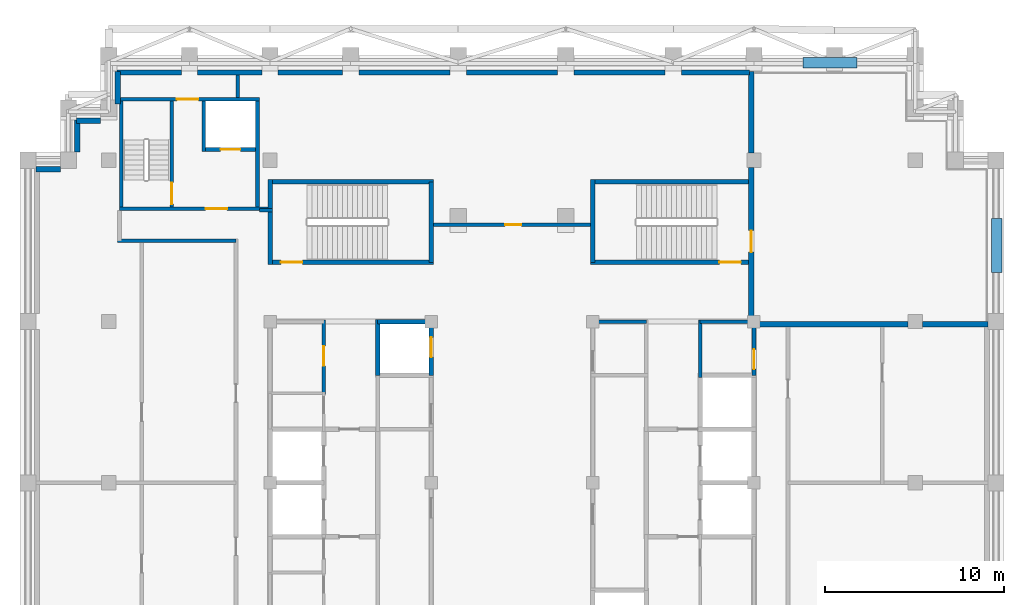
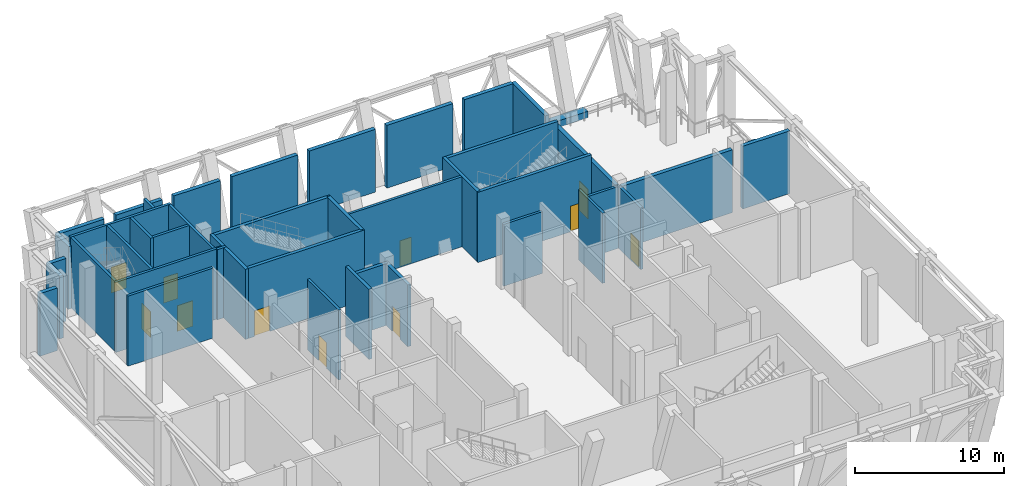
# One storey, part 6 of 9: 43 walls, 11 doors, 11 openings.
"""IFC4 building model written with IfcOpenShell, lengths in metres."""

from ifc_helpers import new_model, si_unit, direction, frame, frame_2d, origin, place, context, subcontext, project, spatial, rectangle, extrude, material, layer, layer_set, type_object, element, fill, save


model = new_model("IFC4")

# Units and contexts
model_context = context("Model", 3, precision=1e-05, world=origin(), true_north=direction((0.0, 1.0)))
body_context = subcontext(model_context, "Body", "Model", "MODEL_VIEW")
ifc_project = project(units=[si_unit("LENGTHUNIT", "METRE"), si_unit("AREAUNIT", "SQUARE_METRE"), si_unit("VOLUMEUNIT", "CUBIC_METRE"), si_unit("PLANEANGLEUNIT", "RADIAN"), si_unit("MASSUNIT", "GRAM", prefix="KILO")], contexts=[model_context])

# Site, building, storey
site_placement = place(None, origin())
site = spatial("IfcSite", under=ifc_project, at=site_placement, CompositionType="ELEMENT")
building_placement = place(site_placement, origin())
building = spatial("IfcBuilding", under=site, at=building_placement, Name="Corbelhall Arena Tower", CompositionType="ELEMENT")
storey_placement = place(building_placement, frame((0.0, 0.0, 320.0)))
storey = spatial("IfcBuildingStorey", under=building, at=storey_placement, Name="L70", CompositionType="ELEMENT", Elevation=320.0)

# Walls
ifc_material_1 = material(Name="Precast concrete C40/50 with granite facing", Category="masonry")
ifc_layer_1 = layer(ifc_material_1, 0.300048828125)
ifc_layer_set_1 = layer_set([ifc_layer_1], Name="EV-IW1 Infill panel 300")
wall_type_1 = type_object("IfcWallType", Name="EV-IW1 Infill panel 300", PredefinedType="SOLIDWALL", material=ifc_layer_set_1)
wall_1_placement = place(storey_placement, frame((-25.199951171875, 17.5, 0.0), z_axis=(0.0, 0.0, 1.0), x_axis=(-1.0, 0.0, 0.0)))
element("IfcWall", 1, at=wall_1_placement, inside=storey, type_object=wall_type_1, Name="Infill panel IW1", PredefinedType="SOLIDWALL", context=body_context, shape_type="SweptSolid", body=[
    extrude(rectangle(XDim=1.35009765625, YDim=0.300048828125, at=frame_2d((0.675048828125, 0.0))), origin(), (0.0, 0.0, 1.0), 5.139892578125),
])
wall_2_placement = place(storey_placement, frame((13.25, 22.89990234375, 0.0), z_axis=(0.0, 0.0, 1.0), x_axis=(-1.0, 0.0, 0.0)))
element("IfcWall", 2, at=wall_2_placement, inside=storey, type_object=wall_type_1, Name="Infill panel IW1", PredefinedType="SOLIDWALL", context=body_context, shape_type="SweptSolid", body=[
    extrude(rectangle(XDim=3.800048828125, YDim=0.300048828125, at=frame_2d((1.89990234375, 0.0))), origin(), (0.0, 0.0, 1.0), 5.139892578125),
])
for number, where, z_axis, x_axis, name in (
    (3, (8.550048828125, 22.89990234375, 0.0), (0.0, 0.0, 1.0), (-1.0, 0.0, 0.0), "Infill panel IW1"),
    (4, (2.550048828125, 22.89990234375, 0.0), (0.0, 0.0, 1.0), (-1.0, 0.0, 0.0), "Infill panel IW1"),
    (5, (-3.449951171875, 22.89990234375, 0.0), (0.0, 0.0, 1.0), (-1.0, 0.0, 0.0), "Infill panel IW1"),
):
    element("IfcWall", number, at=place(storey_placement, frame(where, z_axis=z_axis, x_axis=x_axis)), inside=storey, type_object=wall_type_1, Name=name, PredefinedType="SOLIDWALL", context=body_context, shape_type="SweptSolid", body=[
        extrude(rectangle(XDim=5.10009765625, YDim=0.300048828125, at=frame_2d((2.550048828125, 0.0))), origin(), (0.0, 0.0, 1.0), 5.139892578125),
    ])
for number, where, z_axis, x_axis, name in (
    (6, (-9.449951171875, 22.89990234375, 0.0), (0.0, 0.0, 1.0), (-1.0, 0.0, 0.0), "Infill panel IW1"),
    (7, (-13.949951171875, 22.89990234375, 0.0), (0.0, 0.0, 1.0), (-1.0, 0.0, 0.0), "Infill panel IW1"),
    (8, (-18.449951171875, 22.89990234375, 0.0), (0.0, 0.0, 1.0), (-1.0, 0.0, 0.0), "Infill panel IW1"),
):
    element("IfcWall", number, at=place(storey_placement, frame(where, z_axis=z_axis, x_axis=x_axis)), inside=storey, type_object=wall_type_1, Name=name, PredefinedType="SOLIDWALL", context=body_context, shape_type="SweptSolid", body=[
        extrude(rectangle(XDim=3.60009765625, YDim=0.300048828125, at=frame_2d((1.800048828125, 0.0))), origin(), (0.0, 0.0, 1.0), 5.139892578125),
    ])
wall_3_placement = place(storey_placement, frame((-22.0, 22.949951171875, 0.0), z_axis=(0.0, 0.0, 1.0), x_axis=(0.0, -1.0, 0.0)))
element("IfcWall", 9, at=wall_3_placement, inside=storey, type_object=wall_type_1, Name="Infill panel IW1", PredefinedType="SOLIDWALL", context=body_context, shape_type="SweptSolid", body=[
    extrude(rectangle(XDim=1.800048828125, YDim=0.300048828125, at=frame_2d((0.89990234375, 0.0))), origin(), (0.0, 0.0, 1.0), 5.139892578125),
])
wall_4_placement = place(storey_placement, frame((-22.949951171875, 20.199951171875, 0.0), z_axis=(0.0, 0.0, 1.0), x_axis=(-1.0, 0.0, 0.0)))
element("IfcWall", 10, at=wall_4_placement, inside=storey, type_object=wall_type_1, Name="Infill panel IW1", PredefinedType="SOLIDWALL", context=body_context, shape_type="SweptSolid", body=[
    extrude(rectangle(XDim=1.35009765625, YDim=0.300048828125, at=frame_2d((0.675048828125, 0.0))), origin(), (0.0, 0.0, 1.0), 5.139892578125),
])
wall_5_placement = place(storey_placement, frame((-24.25, 20.25, 0.0), z_axis=(0.0, 0.0, 1.0), x_axis=(0.0, -1.0, 0.0)))
element("IfcWall", 11, at=wall_5_placement, inside=storey, type_object=wall_type_1, Name="Infill panel IW1", PredefinedType="SOLIDWALL", context=body_context, shape_type="SweptSolid", body=[
    extrude(rectangle(XDim=1.800048828125, YDim=0.300048828125, at=frame_2d((0.89990234375, 0.0))), origin(), (0.0, 0.0, 1.0), 5.139892578125),
])

# Wall, opening, door
wall_6_placement = place(storey_placement, frame((13.35009765625, 17.60009765625, 0.0), z_axis=(0.0, 0.0, 1.0), x_axis=(0.0, -1.0, 0.0)))
wall_6 = element("IfcWall", 12, at=wall_6_placement, inside=storey, type_object=wall_type_1, Name="Infill panel IW1", PredefinedType="SOLIDWALL", context=body_context, shape_type="SweptSolid", body=[
    extrude(rectangle(XDim=8.550048828125, YDim=0.300048828125, at=frame_2d((4.27490234375, 0.0))), origin(), (0.0, 0.0, 1.0), 5.139892578125),
])
opening_1_placement = place(wall_6_placement, frame((3.52490234375, 0.0, 0.0)))
opening_1 = element("IfcOpeningElement", 13, at=opening_1_placement, cuts=wall_6, Name="Opening ED1", PredefinedType="OPENING", context=body_context, shape_type="SweptSolid", body=[
    extrude(rectangle(XDim=1.199951171875, YDim=2.39990234375, at=frame_2d((0.60009765625, 1.199951171875))), frame((0.0, 0.14990234375, 0.0), z_axis=(0.0, -1.0, 0.0), x_axis=(1.0, 0.0, 0.0)), (0.0, 0.0, 1.0), 0.300048828125),
])
ifc_material_2 = material(Name="Aluminium black anodised", Category="aluminium")
door_type_1 = type_object("IfcDoorType", Name="EV-ED1 Terrace door", OperationType="SINGLE_SWING_LEFT", PredefinedType="DOOR", material=ifc_material_2)
door_1_placement = place(opening_1_placement, origin())
door_1 = element("IfcDoor", 14, at=door_1_placement, inside=storey, type_object=door_type_1, Name="Terrace door", OperationType="SINGLE_SWING_LEFT", OverallHeight=2.39990234375, OverallWidth=1.199951171875, PredefinedType="DOOR", context=body_context, shape_type="SweptSolid", body=[
    extrude(rectangle(XDim=1.199951171875, YDim=2.39990234375, at=frame_2d((0.60009765625, 1.199951171875))), frame((0.0, 0.02490234375, 0.0), z_axis=(0.0, -1.0, 0.0), x_axis=(1.0, 0.0, 0.0)), (0.0, 0.0, 1.0), 0.050048828125),
])
fill(opening_1, door_1)

# Walls
wall_7_placement = place(storey_placement, frame((13.35009765625, 18.39990234375, 0.0), z_axis=(0.0, 0.0, 1.0), x_axis=(0.0, 1.0, 0.0)))
element("IfcWall", 15, at=wall_7_placement, inside=storey, type_object=wall_type_1, Name="Infill panel IW1", PredefinedType="SOLIDWALL", context=body_context, shape_type="SweptSolid", body=[
    extrude(rectangle(XDim=4.550048828125, YDim=0.300048828125, at=frame_2d((2.27490234375, 0.0))), origin(), (0.0, 0.0, 1.0), 5.139892578125),
])
wall_8_placement = place(storey_placement, frame((22.10009765625, 8.85009765625, 0.0), z_axis=(0.0, 0.0, 1.0), x_axis=(-1.0, 0.0, 0.0)))
element("IfcWall", 16, at=wall_8_placement, inside=storey, type_object=wall_type_1, Name="Infill panel IW1", PredefinedType="SOLIDWALL", context=body_context, shape_type="SweptSolid", body=[
    extrude(rectangle(XDim=8.550048828125, YDim=0.300048828125, at=frame_2d((4.27490234375, 0.0))), origin(), (0.0, 0.0, 1.0), 5.139892578125),
])
wall_9_placement = place(storey_placement, frame((26.550048828125, 8.85009765625, 0.0), z_axis=(0.0, 0.0, 1.0), x_axis=(-1.0, 0.0, 0.0)))
element("IfcWall", 17, at=wall_9_placement, inside=storey, type_object=wall_type_1, Name="Infill panel IW1", PredefinedType="SOLIDWALL", context=body_context, shape_type="SweptSolid", body=[
    extrude(rectangle(XDim=3.650146484375, YDim=0.300048828125, at=frame_2d((1.8251953125, 0.0))), origin(), (0.0, 0.0, 1.0), 5.139892578125),
])
ifc_layer_2 = layer(ifc_material_1, 0.60009765625)
ifc_layer_set_2 = layer_set([ifc_layer_2], Name="EV-PL1 Planter box")
wall_type_2 = type_object("IfcWallType", Name="EV-PL1 Planter box", PredefinedType="SOLIDWALL", material=ifc_layer_set_2)
for number, where, z_axis, x_axis, name in (
    (18, (16.2451171875, 23.43994140625, 0.0), (0.0, 0.0, 1.0), (1.0, 0.0, 0.0), "PLANTER"),
    (19, (27.0400390625, 14.7451171875, 0.0), (0.0, 0.0, 1.0), (0.0, -1.0, 0.0), "PLANTER"),
):
    element("IfcWall", number, at=place(storey_placement, frame(where, z_axis=z_axis, x_axis=x_axis)), inside=storey, type_object=wall_type_2, Name=name, PredefinedType="SOLIDWALL", context=body_context, shape_type="SweptSolid", body=[
        extrude(rectangle(XDim=3.0, YDim=0.60009765625, at=frame_2d((1.5, 0.0))), origin(), (0.0, 0.0, 1.0), 0.5400390625),
    ])
ifc_material_3 = material(Name="Gypsum board on steel stud, acoustic", Category="steel")
ifc_layer_3 = layer(ifc_material_3, 0.199951171875)
ifc_layer_set_3 = layer_set([ifc_layer_3], Name="IN-W-DM200")
wall_type_3 = type_object("IfcWallType", Name="IN-W-DM200", PredefinedType="PARTITIONING", material=ifc_layer_set_3)
wall_10_placement = place(storey_placement, frame((-15.39990234375, 13.5, 0.0), z_axis=(0.0, 0.0, 1.0), x_axis=(-1.0, 0.0, 0.0)))
element("IfcWall", 20, at=wall_10_placement, inside=storey, type_object=wall_type_3, Name="Partition 006", PredefinedType="PARTITIONING", context=body_context, shape_type="SweptSolid", body=[
    extrude(rectangle(XDim=6.60009765625, YDim=0.199951171875, at=frame_2d((3.300048828125, 0.0))), origin(), (0.0, 0.0, 1.0), 5.739990234375),
])
wall_11_placement = place(storey_placement, frame((-15.300048828125, 22.75, 0.0), z_axis=(0.0, 0.0, 1.0), x_axis=(0.0, -1.0, 0.0)))
element("IfcWall", 21, at=wall_11_placement, inside=storey, type_object=wall_type_3, Name="Partition 008", PredefinedType="PARTITIONING", context=body_context, shape_type="SweptSolid", body=[
    extrude(rectangle(XDim=1.25, YDim=0.199951171875, at=frame_2d((0.625, 0.0))), origin(), (0.0, 0.0, 1.0), 5.739990234375),
])
wall_12_placement = place(storey_placement, frame((-14.10009765625, 15.199951171875, 0.0), z_axis=(0.0, 0.0, 1.0), x_axis=(1.0, 0.0, 0.0)))
element("IfcWall", 22, at=wall_12_placement, inside=storey, type_object=wall_type_3, Name="Partition 009", PredefinedType="PARTITIONING", context=body_context, shape_type="SweptSolid", body=[
    extrude(rectangle(XDim=0.72509765625, YDim=0.199951171875, at=frame_2d((0.362548828125, 0.0))), origin(), (0.0, 0.0, 1.0), 5.739990234375),
])

# Wall, opening, door
wall_13_placement = place(storey_placement, frame((-4.5, 14.39990234375, 0.0), z_axis=(0.0, 0.0, 1.0), x_axis=(1.0, 0.0, 0.0)))
wall_13 = element("IfcWall", 23, at=wall_13_placement, inside=storey, type_object=wall_type_3, Name="Partition 011", PredefinedType="PARTITIONING", context=body_context, shape_type="SweptSolid", body=[
    extrude(rectangle(XDim=9.0, YDim=0.199951171875, at=frame_2d((4.5, 0.0))), origin(), (0.0, 0.0, 1.0), 5.739990234375),
])
opening_2_placement = place(wall_13_placement, frame((4.1201171875, 0.0, 0.0)))
opening_2 = element("IfcOpeningElement", 24, at=opening_2_placement, cuts=wall_13, Name="Opening 30031", PredefinedType="OPENING", context=body_context, shape_type="SweptSolid", body=[
    extrude(rectangle(XDim=0.89990234375, YDim=2.10009765625, at=frame_2d((0.449951171875, 1.050048828125))), frame((0.0, 0.10009765625, 0.0), z_axis=(0.0, -1.0, 0.0), x_axis=(1.0, 0.0, 0.0)), (0.0, 0.0, 1.0), 0.199951171875),
])
ifc_material_4 = material(Name="Timber door set", Category="wood")
door_type_2 = type_object("IfcDoorType", Name="IN-D-SW90", OperationType="NOTDEFINED", PredefinedType="DOOR", material=ifc_material_4)
door_2_placement = place(opening_2_placement, origin())
door_2 = element("IfcDoor", 25, at=door_2_placement, inside=storey, type_object=door_type_2, Name="Door 031", OperationType="SINGLE_SWING_LEFT", OverallHeight=2.10009765625, OverallWidth=0.89990234375, PredefinedType="DOOR", context=body_context, shape_type="SweptSolid", body=[
    extrude(rectangle(XDim=0.89990234375, YDim=2.10009765625, at=frame_2d((0.449951171875, 1.050048828125))), frame((0.0, 0.02490234375, 0.0), z_axis=(0.0, -1.0, 0.0), x_axis=(1.0, 0.0, 0.0)), (0.0, 0.0, 1.0), 0.050048828125),
])
fill(opening_2, door_2)

ifc_material_5 = material(Name="Concrete C40/50", Category="concrete")
ifc_layer_4 = layer(ifc_material_5, 0.199951171875)
ifc_layer_set_4 = layer_set([ifc_layer_4], Name="IN-W-EAR200")
wall_type_4 = type_object("IfcWallType", Name="IN-W-EAR200", PredefinedType="SOLIDWALL", material=ifc_layer_set_4)
wall_14_placement = place(storey_placement, frame((-21.89990234375, 15.300048828125, 0.0), z_axis=(0.0, 0.0, 1.0), x_axis=(1.0, 0.0, 0.0)))
wall_14 = element("IfcWall", 26, at=wall_14_placement, inside=storey, type_object=wall_type_4, Name="Fire service turret wall south", PredefinedType="SOLIDWALL", context=body_context, shape_type="SweptSolid", body=[
    extrude(rectangle(XDim=8.27490234375, YDim=0.199951171875, at=frame_2d((4.137451171875, 0.0))), origin(), (0.0, 0.0, 1.0), 5.739990234375),
])
opening_3_placement = place(wall_14_placement, frame((4.800048828125, 0.0, 0.0)))
opening_3 = element("IfcOpeningElement", 27, at=opening_3_placement, cuts=wall_14, Name="Opening E302", PredefinedType="OPENING", context=body_context, shape_type="SweptSolid", body=[
    extrude(rectangle(XDim=1.199951171875, YDim=2.10009765625, at=frame_2d((0.60009765625, 1.050048828125))), frame((0.0, 0.10009765625, 0.0), z_axis=(0.0, -1.0, 0.0), x_axis=(1.0, 0.0, 0.0)), (0.0, 0.0, 1.0), 0.199951171875),
])
ifc_material_6 = material(Name="Steel door set", Category="steel")
door_type_3 = type_object("IfcDoorType", Name="IN-D-ST120", OperationType="NOTDEFINED", PredefinedType="DOOR", material=ifc_material_6)
door_3_placement = place(opening_3_placement, origin())
door_3 = element("IfcDoor", 28, at=door_3_placement, inside=storey, type_object=door_type_3, Name="Door from fire service lift lobby to circulation", OperationType="SINGLE_SWING_RIGHT", OverallHeight=2.10009765625, OverallWidth=1.199951171875, PredefinedType="DOOR", context=body_context, shape_type="SweptSolid", body=[
    extrude(rectangle(XDim=1.199951171875, YDim=2.10009765625, at=frame_2d((0.60009765625, 1.050048828125))), frame((0.0, 0.02490234375, 0.0), z_axis=(0.0, -1.0, 0.0), x_axis=(1.0, 0.0, 0.0)), (0.0, 0.0, 1.0), 0.050048828125),
])
fill(opening_3, door_3)

wall_15_placement = place(storey_placement, frame((-21.89990234375, 21.39990234375, 0.0), z_axis=(0.0, 0.0, 1.0), x_axis=(1.0, 0.0, 0.0)))
wall_15 = element("IfcWall", 29, at=wall_15_placement, inside=storey, type_object=wall_type_4, Name="Fire service turret wall north", PredefinedType="SOLIDWALL", context=body_context, shape_type="SweptSolid", body=[
    extrude(rectangle(XDim=7.7998046875, YDim=0.199951171875, at=frame_2d((3.89990234375, 0.0))), origin(), (0.0, 0.0, 1.0), 5.739990234375),
])
opening_4_placement = place(wall_15_placement, frame((3.199951171875, 0.0, 0.0)))
opening_4 = element("IfcOpeningElement", 30, at=opening_4_placement, cuts=wall_15, Name="Opening E303", PredefinedType="OPENING", context=body_context, shape_type="SweptSolid", body=[
    extrude(rectangle(XDim=1.199951171875, YDim=2.10009765625, at=frame_2d((0.60009765625, 1.050048828125))), frame((0.0, 0.10009765625, 0.0), z_axis=(0.0, -1.0, 0.0), x_axis=(1.0, 0.0, 0.0)), (0.0, 0.0, 1.0), 0.199951171875),
])
door_4_placement = place(opening_4_placement, origin())
door_4 = element("IfcDoor", 31, at=door_4_placement, inside=storey, type_object=door_type_3, Name="Door from fire service lift lobby to the north gallery", OperationType="SINGLE_SWING_LEFT", OverallHeight=2.10009765625, OverallWidth=1.199951171875, PredefinedType="DOOR", context=body_context, shape_type="SweptSolid", body=[
    extrude(rectangle(XDim=1.199951171875, YDim=2.10009765625, at=frame_2d((0.60009765625, 1.050048828125))), frame((0.0, 0.02490234375, 0.0), z_axis=(0.0, -1.0, 0.0), x_axis=(1.0, 0.0, 0.0)), (0.0, 0.0, 1.0), 0.050048828125),
])
fill(opening_4, door_4)

# Walls
for number, where, z_axis, x_axis, name in (
    (32, (-21.800048828125, 15.39990234375, 0.0), (0.0, 0.0, 1.0), (0.0, 1.0, 0.0), "Fire service turret wall west"),
    (33, (-14.199951171875, 15.39990234375, 0.0), (0.0, 0.0, 1.0), (0.0, 1.0, 0.0), "Fire service turret wall east"),
):
    element("IfcWall", number, at=place(storey_placement, frame(where, z_axis=z_axis, x_axis=x_axis)), inside=storey, type_object=wall_type_4, Name=name, PredefinedType="SOLIDWALL", context=body_context, shape_type="SweptSolid", body=[
        extrude(rectangle(XDim=5.900146484375, YDim=0.199951171875, at=frame_2d((2.9501953125, 0.0))), origin(), (0.0, 0.0, 1.0), 5.739990234375),
    ])

# Wall, opening, door
wall_16_placement = place(storey_placement, frame((-18.989990234375, 15.39990234375, 0.0), z_axis=(0.0, 0.0, 1.0), x_axis=(0.0, 1.0, 0.0)))
wall_16 = element("IfcWall", 34, at=wall_16_placement, inside=storey, type_object=wall_type_4, Name="Fire service turret wall stair", PredefinedType="SOLIDWALL", context=body_context, shape_type="SweptSolid", body=[
    extrude(rectangle(XDim=5.900146484375, YDim=0.199951171875, at=frame_2d((2.9501953125, 0.0))), origin(), (0.0, 0.0, 1.0), 5.739990234375),
])
opening_5_placement = place(wall_16_placement, frame((0.14990234375, 0.0, 0.0)))
opening_5 = element("IfcOpeningElement", 35, at=opening_5_placement, cuts=wall_16, Name="Opening E301", PredefinedType="OPENING", context=body_context, shape_type="SweptSolid", body=[
    extrude(rectangle(XDim=1.199951171875, YDim=2.10009765625, at=frame_2d((0.60009765625, 1.050048828125))), frame((0.0, 0.10009765625, 0.0), z_axis=(0.0, -1.0, 0.0), x_axis=(1.0, 0.0, 0.0)), (0.0, 0.0, 1.0), 0.199951171875),
])
door_5_placement = place(opening_5_placement, origin())
door_5 = element("IfcDoor", 36, at=door_5_placement, inside=storey, type_object=door_type_3, Name="Stair door to fire service lobby", OperationType="SINGLE_SWING_LEFT", OverallHeight=2.10009765625, OverallWidth=1.199951171875, PredefinedType="DOOR", context=body_context, shape_type="SweptSolid", body=[
    extrude(rectangle(XDim=1.199951171875, YDim=2.10009765625, at=frame_2d((0.60009765625, 1.050048828125))), frame((0.0, 0.02490234375, 0.0), z_axis=(0.0, -1.0, 0.0), x_axis=(1.0, 0.0, 0.0)), (0.0, 0.0, 1.0), 0.050048828125),
])
fill(opening_5, door_5)

# Wall
wall_17_placement = place(storey_placement, frame((-17.199951171875, 18.5, 0.0), z_axis=(0.0, 0.0, 1.0), x_axis=(0.0, 1.0, 0.0)))
element("IfcWall", 37, at=wall_17_placement, inside=storey, type_object=wall_type_4, Name="Fire service turret wall hoistway west", PredefinedType="SOLIDWALL", context=body_context, shape_type="SweptSolid", body=[
    extrude(rectangle(XDim=2.800048828125, YDim=0.199951171875, at=frame_2d((1.39990234375, 0.0))), origin(), (0.0, 0.0, 1.0), 5.739990234375),
])

# Wall, opening, door
wall_18_placement = place(storey_placement, frame((-17.10009765625, 18.60009765625, 0.0), z_axis=(0.0, 0.0, 1.0), x_axis=(1.0, 0.0, 0.0)))
wall_18 = element("IfcWall", 38, at=wall_18_placement, inside=storey, type_object=wall_type_4, Name="Fire service turret wall hoistway south", PredefinedType="SOLIDWALL", context=body_context, shape_type="SweptSolid", body=[
    extrude(rectangle(XDim=2.800048828125, YDim=0.199951171875, at=frame_2d((1.39990234375, 0.0))), origin(), (0.0, 0.0, 1.0), 5.739990234375),
])
opening_6_placement = place(wall_18_placement, frame((0.85009765625, 0.0, 0.0)))
opening_6 = element("IfcOpeningElement", 39, at=opening_6_placement, cuts=wall_18, Name="Opening LD", PredefinedType="OPENING", context=body_context, shape_type="SweptSolid", body=[
    extrude(rectangle(XDim=1.10009765625, YDim=2.10009765625, at=frame_2d((0.550048828125, 1.050048828125))), frame((0.0, 0.10009765625, 0.0), z_axis=(0.0, -1.0, 0.0), x_axis=(1.0, 0.0, 0.0)), (0.0, 0.0, 1.0), 0.199951171875),
])
door_type_4 = type_object("IfcDoorType", Name="IN-D-LD110", OperationType="NOTDEFINED", PredefinedType="DOOR", material=ifc_material_6)
door_6_placement = place(opening_6_placement, origin())
door_6 = element("IfcDoor", 40, at=door_6_placement, inside=storey, type_object=door_type_4, Name="Landing door FS1", OperationType="SLIDING_TO_LEFT", OverallHeight=2.10009765625, OverallWidth=1.10009765625, PredefinedType="DOOR", context=body_context, shape_type="SweptSolid", body=[
    extrude(rectangle(XDim=1.10009765625, YDim=2.10009765625, at=frame_2d((0.550048828125, 1.050048828125))), frame((0.0, 0.02490234375, 0.0), z_axis=(0.0, -1.0, 0.0), x_axis=(1.0, 0.0, 0.0)), (0.0, 0.0, 1.0), 0.050048828125),
])
fill(opening_6, door_6)

ifc_material_7 = material(Name="Concrete block wall", Category="concrete")
ifc_layer_5 = layer(ifc_material_7, 0.199951171875)
ifc_layer_set_5 = layer_set([ifc_layer_5], Name="IN-W-RS200")
wall_type_5 = type_object("IfcWallType", Name="IN-W-RS200", PredefinedType="SOLIDWALL", material=ifc_layer_set_5)
wall_19_placement = place(storey_placement, frame((-10.5, 4.925048828125, 0.0), z_axis=(0.0, 0.0, 1.0), x_axis=(0.0, 1.0, 0.0)))
wall_19 = element("IfcWall", 41, at=wall_19_placement, inside=storey, type_object=wall_type_5, Name="Partition 023", PredefinedType="SOLIDWALL", context=body_context, shape_type="SweptSolid", body=[
    extrude(rectangle(XDim=4.175048828125, YDim=0.199951171875, at=frame_2d((2.08740234375, 0.0))), origin(), (0.0, 0.0, 1.0), 5.739990234375),
])
opening_7_placement = place(wall_19_placement, frame((1.60009765625, 0.0, 0.0)))
opening_7 = element("IfcOpeningElement", 42, at=opening_7_placement, cuts=wall_19, Name="Opening 30008", PredefinedType="OPENING", context=body_context, shape_type="SweptSolid", body=[
    extrude(rectangle(XDim=1.10009765625, YDim=2.10009765625, at=frame_2d((0.550048828125, 1.050048828125))), frame((0.0, 0.10009765625, 0.0), z_axis=(0.0, -1.0, 0.0), x_axis=(1.0, 0.0, 0.0)), (0.0, 0.0, 1.0), 0.199951171875),
])
door_type_5 = type_object("IfcDoorType", Name="IN-D-FD110", OperationType="NOTDEFINED", PredefinedType="DOOR", material=ifc_material_6)
door_7_placement = place(opening_7_placement, origin())
door_7 = element("IfcDoor", 43, at=door_7_placement, inside=storey, type_object=door_type_5, Name="Door 008", OperationType="SINGLE_SWING_LEFT", OverallHeight=2.10009765625, OverallWidth=1.10009765625, PredefinedType="DOOR", context=body_context, shape_type="SweptSolid", body=[
    extrude(rectangle(XDim=1.10009765625, YDim=2.10009765625, at=frame_2d((0.550048828125, 1.050048828125))), frame((0.0, 0.02490234375, 0.0), z_axis=(0.0, -1.0, 0.0), x_axis=(1.0, 0.0, 0.0)), (0.0, 0.0, 1.0), 0.050048828125),
])
fill(opening_7, door_7)

# Walls
wall_20_placement = place(storey_placement, frame((10.5, 9.10009765625, 0.0), z_axis=(0.0, 0.0, 1.0), x_axis=(0.0, -1.0, 0.0)))
element("IfcWall", 44, at=wall_20_placement, inside=storey, type_object=wall_type_5, Name="Partition 035", PredefinedType="SOLIDWALL", context=body_context, shape_type="SweptSolid", body=[
    extrude(rectangle(XDim=3.22509765625, YDim=0.199951171875, at=frame_2d((1.612548828125, 0.0))), origin(), (0.0, 0.0, 1.0), 5.739990234375),
])
ifc_layer_6 = layer(ifc_material_7, 0.199951171875)
ifc_layer_set_6 = layer_set([ifc_layer_6], Name="IN-W-RS200 under beam 678 mm")
wall_type_6 = type_object("IfcWallType", Name="IN-W-RS200 under beam 678 mm", PredefinedType="SOLIDWALL", material=ifc_layer_set_6)
for number, where, z_axis, x_axis, name in (
    (45, (4.5, 9.0, 0.0), (0.0, 0.0, 1.0), (1.0, 0.0, 0.0), "Partition 031"),
    (46, (10.5, 9.0, 0.0), (0.0, 0.0, 1.0), (1.0, 0.0, 0.0), "Partition 034"),
):
    element("IfcWall", number, at=place(storey_placement, frame(where, z_axis=z_axis, x_axis=x_axis)), inside=storey, type_object=wall_type_6, Name=name, PredefinedType="SOLIDWALL", context=body_context, shape_type="SweptSolid", body=[
        extrude(rectangle(XDim=3.0, YDim=0.199951171875, at=frame_2d((1.5, 0.0))), origin(), (0.0, 0.0, 1.0), 5.061767578125),
    ])

# Wall, opening, door
wall_21_placement = place(storey_placement, frame((13.5, 9.050048828125, 0.0), z_axis=(0.0, 0.0, 1.0), x_axis=(0.0, -1.0, 0.0)))
wall_21 = element("IfcWall", 47, at=wall_21_placement, inside=storey, type_object=wall_type_6, Name="Partition 036", PredefinedType="SOLIDWALL", context=body_context, shape_type="SweptSolid", body=[
    extrude(rectangle(XDim=3.050048828125, YDim=0.199951171875, at=frame_2d((1.52490234375, 0.0))), origin(), (0.0, 0.0, 1.0), 5.061767578125),
])
opening_8_placement = place(wall_21_placement, frame((1.60009765625, 0.0, 0.0)))
opening_8 = element("IfcOpeningElement", 48, at=opening_8_placement, cuts=wall_21, Name="Opening 30014", PredefinedType="OPENING", context=body_context, shape_type="SweptSolid", body=[
    extrude(rectangle(XDim=1.10009765625, YDim=2.10009765625, at=frame_2d((0.550048828125, 1.050048828125))), frame((0.0, 0.10009765625, 0.0), z_axis=(0.0, -1.0, 0.0), x_axis=(1.0, 0.0, 0.0)), (0.0, 0.0, 1.0), 0.199951171875),
])
door_8_placement = place(opening_8_placement, origin())
door_8 = element("IfcDoor", 49, at=door_8_placement, inside=storey, type_object=door_type_5, Name="Door 014", OperationType="SINGLE_SWING_LEFT", OverallHeight=2.10009765625, OverallWidth=1.10009765625, PredefinedType="DOOR", context=body_context, shape_type="SweptSolid", body=[
    extrude(rectangle(XDim=1.10009765625, YDim=2.10009765625, at=frame_2d((0.550048828125, 1.050048828125))), frame((0.0, 0.02490234375, 0.0), z_axis=(0.0, -1.0, 0.0), x_axis=(1.0, 0.0, 0.0)), (0.0, 0.0, 1.0), 0.050048828125),
])
fill(opening_8, door_8)

# Walls
ifc_layer_7 = layer(ifc_material_5, 0.25)
ifc_layer_set_7 = layer_set([ifc_layer_7], Name="IN-W-SH250")
wall_type_7 = type_object("IfcWallType", Name="IN-W-SH250", PredefinedType="SOLIDWALL", material=ifc_layer_set_7)
wall_22_placement = place(storey_placement, frame((-7.5, 6.0, 0.0), z_axis=(0.0, 0.0, 1.0), x_axis=(0.0, 1.0, 0.0)))
element("IfcWall", 50, at=wall_22_placement, inside=storey, type_object=wall_type_7, Name="Shaft wall 044", PredefinedType="SOLIDWALL", context=body_context, shape_type="SweptSolid", body=[
    extrude(rectangle(XDim=3.125, YDim=0.25, at=frame_2d((1.5625, 0.0))), origin(), (0.0, 0.0, 1.0), 5.739990234375),
])
ifc_layer_8 = layer(ifc_material_5, 0.25)
ifc_layer_set_8 = layer_set([ifc_layer_8], Name="IN-W-SH250 under beam 678 mm")
wall_type_8 = type_object("IfcWallType", Name="IN-W-SH250 under beam 678 mm", PredefinedType="SOLIDWALL", material=ifc_layer_set_8)
wall_23_placement = place(storey_placement, frame((-7.5, 9.0, 0.0), z_axis=(0.0, 0.0, 1.0), x_axis=(1.0, 0.0, 0.0)))
element("IfcWall", 51, at=wall_23_placement, inside=storey, type_object=wall_type_8, Name="Shaft wall 045", PredefinedType="SOLIDWALL", context=body_context, shape_type="SweptSolid", body=[
    extrude(rectangle(XDim=3.0, YDim=0.25, at=frame_2d((1.5, 0.0))), origin(), (0.0, 0.0, 1.0), 5.061767578125),
])

# Wall, opening, door
wall_24_placement = place(storey_placement, frame((-4.5, 9.125, 0.0), z_axis=(0.0, 0.0, 1.0), x_axis=(0.0, -1.0, 0.0)))
wall_24 = element("IfcWall", 52, at=wall_24_placement, inside=storey, type_object=wall_type_8, Name="Shaft wall 046", PredefinedType="SOLIDWALL", context=body_context, shape_type="SweptSolid", body=[
    extrude(rectangle(XDim=3.125, YDim=0.25, at=frame_2d((1.5625, 0.0))), origin(), (0.0, 0.0, 1.0), 5.061767578125),
])
opening_9_placement = place(wall_24_placement, frame((1.012451171875, 0.0, 0.0)))
opening_9 = element("IfcOpeningElement", 53, at=opening_9_placement, cuts=wall_24, Name="Opening LD", PredefinedType="OPENING", context=body_context, shape_type="SweptSolid", body=[
    extrude(rectangle(XDim=1.10009765625, YDim=2.10009765625, at=frame_2d((0.550048828125, 1.050048828125))), frame((0.0, 0.125, 0.0), z_axis=(0.0, -1.0, 0.0), x_axis=(1.0, 0.0, 0.0)), (0.0, 0.0, 1.0), 0.25),
])
door_9_placement = place(opening_9_placement, origin())
door_9 = element("IfcDoor", 54, at=door_9_placement, inside=storey, type_object=door_type_4, Name="Landing door W6", OperationType="SLIDING_TO_LEFT", OverallHeight=2.10009765625, OverallWidth=1.10009765625, PredefinedType="DOOR", context=body_context, shape_type="SweptSolid", body=[
    extrude(rectangle(XDim=1.10009765625, YDim=2.10009765625, at=frame_2d((0.550048828125, 1.050048828125))), frame((0.0, 0.02490234375, 0.0), z_axis=(0.0, -1.0, 0.0), x_axis=(1.0, 0.0, 0.0)), (0.0, 0.0, 1.0), 0.050048828125),
])
fill(opening_9, door_9)

ifc_layer_9 = layer(ifc_material_5, 0.25)
ifc_layer_set_9 = layer_set([ifc_layer_9], Name="IN-W-ST250")
wall_type_9 = type_object("IfcWallType", Name="IN-W-ST250", PredefinedType="SOLIDWALL", material=ifc_layer_set_9)
wall_25_placement = place(storey_placement, frame((-13.5, 12.300048828125, 0.0), z_axis=(0.0, 0.0, 1.0), x_axis=(1.0, 0.0, 0.0)))
wall_25 = element("IfcWall", 55, at=wall_25_placement, inside=storey, type_object=wall_type_9, Name="Shaft wall 059", PredefinedType="SOLIDWALL", context=body_context, shape_type="SweptSolid", body=[
    extrude(rectangle(XDim=9.125, YDim=0.25, at=frame_2d((4.5625, 0.0))), origin(), (0.0, 0.0, 1.0), 5.739990234375),
])
opening_10_placement = place(wall_25_placement, frame((0.60009765625, 0.0, 0.0)))
opening_10 = element("IfcOpeningElement", 56, at=opening_10_placement, cuts=wall_25, Name="Opening 30015", PredefinedType="OPENING", context=body_context, shape_type="SweptSolid", body=[
    extrude(rectangle(XDim=1.199951171875, YDim=2.10009765625, at=frame_2d((0.60009765625, 1.050048828125))), frame((0.0, 0.125, 0.0), z_axis=(0.0, -1.0, 0.0), x_axis=(1.0, 0.0, 0.0)), (0.0, 0.0, 1.0), 0.25),
])
door_10_placement = place(opening_10_placement, origin())
door_10 = element("IfcDoor", 57, at=door_10_placement, inside=storey, type_object=door_type_3, Name="Door 015", OperationType="SINGLE_SWING_RIGHT", OverallHeight=2.10009765625, OverallWidth=1.199951171875, PredefinedType="DOOR", context=body_context, shape_type="SweptSolid", body=[
    extrude(rectangle(XDim=1.199951171875, YDim=2.10009765625, at=frame_2d((0.60009765625, 1.050048828125))), frame((0.0, 0.02490234375, 0.0), z_axis=(0.0, -1.0, 0.0), x_axis=(1.0, 0.0, 0.0)), (0.0, 0.0, 1.0), 0.050048828125),
])
fill(opening_10, door_10)

# Walls
wall_26_placement = place(storey_placement, frame((-13.5, 12.175048828125, 0.0), z_axis=(0.0, 0.0, 1.0), x_axis=(0.0, 1.0, 0.0)))
element("IfcWall", 58, at=wall_26_placement, inside=storey, type_object=wall_type_9, Name="Shaft wall 060", PredefinedType="SOLIDWALL", context=body_context, shape_type="SweptSolid", body=[
    extrude(rectangle(XDim=4.75, YDim=0.25, at=frame_2d((2.375, 0.0))), origin(), (0.0, 0.0, 1.0), 5.739990234375),
])
wall_27_placement = place(storey_placement, frame((-13.5, 16.800048828125, 0.0), z_axis=(0.0, 0.0, 1.0), x_axis=(1.0, 0.0, 0.0)))
element("IfcWall", 59, at=wall_27_placement, inside=storey, type_object=wall_type_9, Name="Shaft wall 061", PredefinedType="SOLIDWALL", context=body_context, shape_type="SweptSolid", body=[
    extrude(rectangle(XDim=9.125, YDim=0.25, at=frame_2d((4.5625, 0.0))), origin(), (0.0, 0.0, 1.0), 5.739990234375),
])
wall_28_placement = place(storey_placement, frame((-4.5, 16.800048828125, 0.0), z_axis=(0.0, 0.0, 1.0), x_axis=(0.0, -1.0, 0.0)))
element("IfcWall", 60, at=wall_28_placement, inside=storey, type_object=wall_type_9, Name="Shaft wall 064", PredefinedType="SOLIDWALL", context=body_context, shape_type="SweptSolid", body=[
    extrude(rectangle(XDim=4.5, YDim=0.25, at=frame_2d((2.25, 0.0))), origin(), (0.0, 0.0, 1.0), 5.739990234375),
])

# Wall, opening, door
wall_29_placement = place(storey_placement, frame((4.375, 12.300048828125, 0.0), z_axis=(0.0, 0.0, 1.0), x_axis=(1.0, 0.0, 0.0)))
wall_29 = element("IfcWall", 61, at=wall_29_placement, inside=storey, type_object=wall_type_9, Name="Shaft wall 066", PredefinedType="SOLIDWALL", context=body_context, shape_type="SweptSolid", body=[
    extrude(rectangle(XDim=8.824951171875, YDim=0.25, at=frame_2d((4.41259765625, 0.0))), origin(), (0.0, 0.0, 1.0), 5.739990234375),
])
opening_11_placement = place(wall_29_placement, frame((7.199951171875, 0.0, 0.0)))
opening_11 = element("IfcOpeningElement", 62, at=opening_11_placement, cuts=wall_29, Name="Opening 30017", PredefinedType="OPENING", context=body_context, shape_type="SweptSolid", body=[
    extrude(rectangle(XDim=1.199951171875, YDim=2.10009765625, at=frame_2d((0.60009765625, 1.050048828125))), frame((0.0, 0.125, 0.0), z_axis=(0.0, -1.0, 0.0), x_axis=(1.0, 0.0, 0.0)), (0.0, 0.0, 1.0), 0.25),
])
door_11_placement = place(opening_11_placement, origin())
door_11 = element("IfcDoor", 63, at=door_11_placement, inside=storey, type_object=door_type_3, Name="Door 017", OperationType="SINGLE_SWING_RIGHT", OverallHeight=2.10009765625, OverallWidth=1.199951171875, PredefinedType="DOOR", context=body_context, shape_type="SweptSolid", body=[
    extrude(rectangle(XDim=1.199951171875, YDim=2.10009765625, at=frame_2d((0.60009765625, 1.050048828125))), frame((0.0, 0.02490234375, 0.0), z_axis=(0.0, -1.0, 0.0), x_axis=(1.0, 0.0, 0.0)), (0.0, 0.0, 1.0), 0.050048828125),
])
fill(opening_11, door_11)

# Walls
wall_30_placement = place(storey_placement, frame((4.5, 12.300048828125, 0.0), z_axis=(0.0, 0.0, 1.0), x_axis=(0.0, 1.0, 0.0)))
element("IfcWall", 64, at=wall_30_placement, inside=storey, type_object=wall_type_9, Name="Shaft wall 068", PredefinedType="SOLIDWALL", context=body_context, shape_type="SweptSolid", body=[
    extrude(rectangle(XDim=4.625, YDim=0.25, at=frame_2d((2.3125, 0.0))), origin(), (0.0, 0.0, 1.0), 5.739990234375),
])
wall_31_placement = place(storey_placement, frame((4.5, 16.800048828125, 0.0), z_axis=(0.0, 0.0, 1.0), x_axis=(1.0, 0.0, 0.0)))
element("IfcWall", 65, at=wall_31_placement, inside=storey, type_object=wall_type_9, Name="Shaft wall 069", PredefinedType="SOLIDWALL", context=body_context, shape_type="SweptSolid", body=[
    extrude(rectangle(XDim=8.699951171875, YDim=0.25, at=frame_2d((4.35009765625, 0.0))), origin(), (0.0, 0.0, 1.0), 5.739990234375),
])

save(model, "model.ifc")
